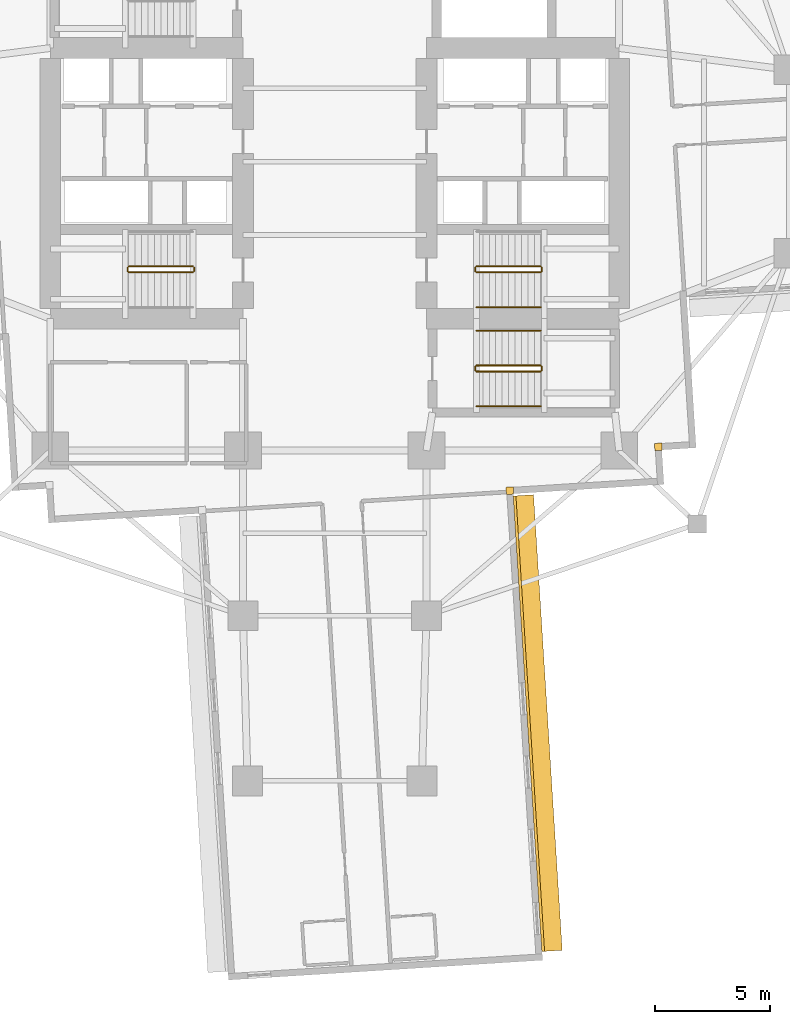
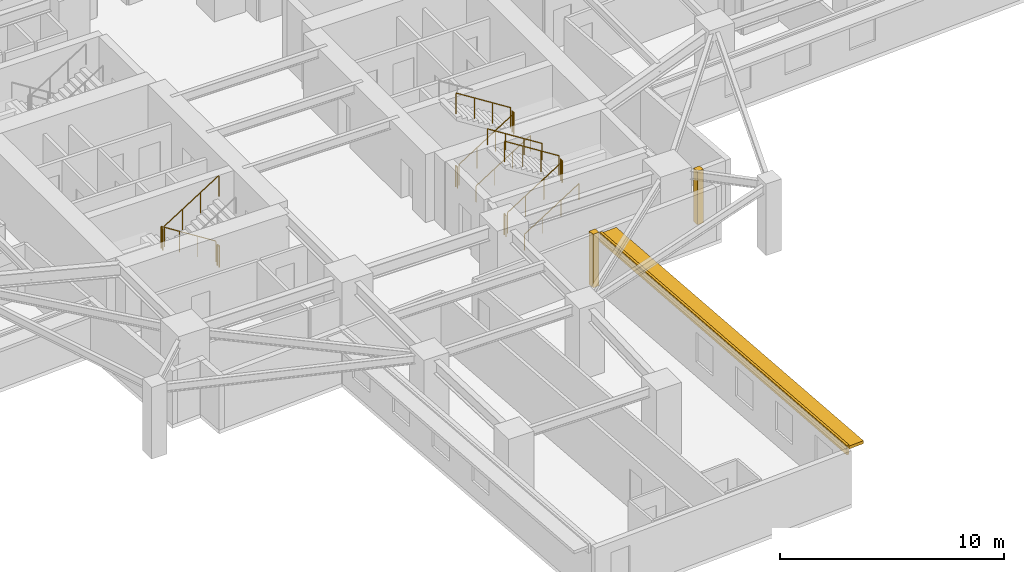
# One storey, part 11 of 14: 15 railings, 3 coverings, 1 shading device.
"""IFC4 building model written with IfcOpenShell, lengths in metres."""

from ifc_helpers import new_model, si_unit, direction, frame, origin, origin_2d, place, context, subcontext, project, spatial, rectangle, circle, extrude, material, layer, layer_set, type_object, element, save


model = new_model("IFC4")

# Units and contexts
model_context = context("Model", 3, precision=1e-05, world=origin(), true_north=direction((0.0, 1.0)))
body_context = subcontext(model_context, "Body", "Model", "MODEL_VIEW")
ifc_project = project(units=[si_unit("LENGTHUNIT", "METRE"), si_unit("AREAUNIT", "SQUARE_METRE"), si_unit("VOLUMEUNIT", "CUBIC_METRE"), si_unit("PLANEANGLEUNIT", "RADIAN"), si_unit("MASSUNIT", "GRAM", prefix="KILO")], contexts=[model_context])

# Site, building, storey
site_placement = place(None, origin())
site = spatial("IfcSite", under=ifc_project, at=site_placement, CompositionType="ELEMENT")
building_placement = place(site_placement, origin())
building = spatial("IfcBuilding", under=site, at=building_placement, Name="Qingluan Cross Belvedere", CompositionType="ELEMENT")
storey_placement = place(building_placement, frame((0.0, 0.0, 39.300048828125)))
storey = spatial("IfcBuildingStorey", under=building, at=storey_placement, Name="L10", CompositionType="ELEMENT", Elevation=39.300048828125)

# Coverings
ifc_material_1 = material(Name="Precast concrete C45", Category="concrete")
ifc_layer_1 = layer(ifc_material_1, 0.1201171875, Name="ConcreteSpandrelCladding_120")
ifc_layer_set_1 = layer_set([ifc_layer_1], Name="Precast concrete C45")
covering_type = type_object("IfcCoveringType", Name="ConcreteSpandrelCladding_120", PredefinedType="CLADDING", material=ifc_layer_set_1)
covering_placement = place(storey_placement, frame((8.465576171875, -24.5068359375, 2.449951171875), z_axis=(0.0, 0.0, 1.0), x_axis=(-0.062791158819, 0.998026688207, 0.0)))
element("IfcCovering", 1, at=covering_placement, inside=storey, type_object=covering_type, Name="Spandrel cladding L10-SB", PredefinedType="CLADDING", context=body_context, shape_type="SweptSolid", body=[
    extrude(rectangle(XDim=19.89990234375, YDim=0.1201171875, at=origin_2d()), origin(), (0.0, 0.0, 1.0), 0.52001953125),
])
for number, where, z_axis, x_axis, name in (
    (2, (14.10888671875, -12.438720703125, 0.0), (0.0, 0.0, 1.0), (0.998026728428, 0.062790519529, 0.0), "Corner closure L10-SE1"),
    (3, (7.635986328125, -14.348876953125, 0.0), (0.0, 0.0, 1.0), (0.998026728428, 0.062790519529, 0.0), "Corner closure L10-SE2"),
):
    element("IfcCovering", number, at=place(storey_placement, frame(where, z_axis=z_axis, x_axis=x_axis)), inside=storey, type_object=covering_type, Name=name, PredefinedType="CLADDING", context=body_context, shape_type="SweptSolid", body=[
        extrude(rectangle(XDim=0.320068359375, YDim=0.320068359375, at=origin_2d()), origin(), (0.0, 0.0, 1.0), 2.909912109375),
    ])

# Shading device
ifc_material_2 = material(Name="Precast concrete C45", Category="concrete")
ifc_layer_2 = layer(ifc_material_2, 0.159912109375, Name="ConcreteSunshadeBand_900")
ifc_layer_set_2 = layer_set([ifc_layer_2], Name="Precast concrete C45")
shading_device_type = type_object("IfcShadingDeviceType", Name="ConcreteSunshadeBand_900", PredefinedType="USERDEFINED", material=ifc_layer_set_2)
shading_device_placement = place(storey_placement, frame((8.8447265625, -24.48291015625, 2.72998046875), z_axis=(0.0, 0.0, 1.0), x_axis=(-0.062791158819, 0.998026688207, 0.0)))
element("IfcShadingDevice", 4, at=shading_device_placement, inside=storey, type_object=shading_device_type, Name="Concrete SUNSHADE L10-SB", ObjectType="SUNSHADE", PredefinedType="USERDEFINED", context=body_context, shape_type="SweptSolid", body=[
    extrude(rectangle(XDim=19.89990234375, YDim=0.89990234375, at=origin_2d()), origin(), (0.0, 0.0, 1.0), 0.159912109375),
])

# Railings
ifc_material_3 = material(Name="Brushed stainless steel tubular handrail", Category="steel")
railing_type_1 = type_object("IfcRailingType", Name="StairPitchHandrail_900", PredefinedType="HANDRAIL", material=ifc_material_3)
for number, where, name in (
    (5, (6.179931640625, -6.35009765625, 0.17724609375), "L10 ST2 stair handrail 1"),
    (6, (6.179931640625, -10.669921875, 0.17724609375), "L10 ST4 stair handrail 1"),
):
    element("IfcRailing", number, at=place(storey_placement, frame(where)), inside=storey, type_object=railing_type_1, Name=name, PredefinedType="HANDRAIL", context=body_context, shape_type="SweptSolid", body=[
        extrude(circle(Radius=0.02392578125, at=origin_2d()), frame((0.0, 0.0, 0.8759765625), z_axis=(0.844908973607, 0.0, 0.534910110503), x_axis=(0.0, 1.0, 0.0)), (0.0, 0.0, 1.0), 3.31396484375),
        extrude(circle(Radius=0.02099609375, at=origin_2d()), origin(), (0.0, 0.0, 1.0), 0.851806640625),
        extrude(circle(Radius=0.02099609375, at=origin_2d()), frame((0.933349609375, 0.0, 0.5908203125)), (0.0, 0.0, 1.0), 0.851806640625),
        extrude(circle(Radius=0.02099609375, at=origin_2d()), frame((1.86669921875, 0.0, 1.181884765625)), (0.0, 0.0, 1.0), 0.851806640625),
        extrude(circle(Radius=0.02099609375, at=origin_2d()), frame((2.800048828125, 0.0, 1.772705078125)), (0.0, 0.0, 1.0), 0.851806640625),
    ])
railing_1_placement = place(storey_placement, frame((8.97998046875, -7.3701171875, 2.127197265625)))
element("IfcRailing", 7, at=railing_1_placement, inside=storey, type_object=railing_type_1, Name="L10 ST4 stair handrail 2", PredefinedType="HANDRAIL", context=body_context, shape_type="SweptSolid", body=[
    extrude(circle(Radius=0.02392578125, at=origin_2d()), frame((0.0, 0.0, 0.8759765625), z_axis=(-0.844908973607, 0.0, 0.534910110503), x_axis=(0.0, -1.0, 0.0)), (0.0, 0.0, 1.0), 3.31396484375),
    extrude(circle(Radius=0.02099609375, at=origin_2d()), origin(), (0.0, 0.0, 1.0), 0.851806640625),
    extrude(circle(Radius=0.02099609375, at=origin_2d()), frame((-0.933349609375, 0.0, 0.5908203125)), (0.0, 0.0, 1.0), 0.851806640625),
    extrude(circle(Radius=0.02099609375, at=origin_2d()), frame((-1.86669921875, 0.0, 1.181884765625)), (0.0, 0.0, 1.0), 0.851806640625),
    extrude(circle(Radius=0.02099609375, at=origin_2d()), frame((-2.800048828125, 0.0, 1.772705078125)), (0.0, 0.0, 1.0), 0.851806640625),
])
ifc_material_4 = material(Name="Painted steel stair well guard", Category="steel")
railing_type_2 = type_object("IfcRailingType", Name="StairWellGuard_1150", PredefinedType="BALUSTRADE", material=ifc_material_4)
railing_2_placement = place(storey_placement, frame((-6.179931640625, -4.570068359375, 0.17724609375)))
element("IfcRailing", 8, at=railing_2_placement, inside=storey, type_object=railing_type_2, Name="L10 ST1 stair guard 1", PredefinedType="BALUSTRADE", context=body_context, shape_type="SweptSolid", body=[
    extrude(circle(Radius=0.02392578125, at=origin_2d()), frame((0.0, 0.0, 1.1259765625), z_axis=(-0.844908973607, 0.0, 0.534910110503), x_axis=(0.0, -1.0, 0.0)), (0.0, 0.0, 1.0), 3.31396484375),
    extrude(circle(Radius=0.02099609375, at=origin_2d()), origin(), (0.0, 0.0, 1.0), 1.101806640625),
    extrude(circle(Radius=0.02099609375, at=origin_2d()), frame((-0.933349609375, 0.0, 0.5908203125)), (0.0, 0.0, 1.0), 1.101806640625),
    extrude(circle(Radius=0.02099609375, at=origin_2d()), frame((-1.86669921875, 0.0, 1.181884765625)), (0.0, 0.0, 1.0), 1.101806640625),
    extrude(circle(Radius=0.02099609375, at=origin_2d()), frame((-2.800048828125, 0.0, 1.772705078125)), (0.0, 0.0, 1.0), 1.101806640625),
])
railing_3_placement = place(storey_placement, frame((-9.030029296875, -4.6201171875, 1.949951171875)))
element("IfcRailing", 9, at=railing_3_placement, inside=storey, type_object=railing_type_2, Name="L10 ST1 stair guard 2", PredefinedType="BALUSTRADE", context=body_context, shape_type="SweptSolid", body=[
    extrude(circle(Radius=0.02392578125, at=origin_2d()), frame((0.0, 0.0, 1.1259765625), z_axis=(0.0, -1.0, 0.0), x_axis=(1.0, 0.0, 0.0)), (0.0, 0.0, 1.0), 0.159912109375),
    extrude(circle(Radius=0.02099609375, at=origin_2d()), origin(), (0.0, 0.0, 1.0), 1.101806640625),
    extrude(circle(Radius=0.02099609375, at=origin_2d()), frame((0.0, -0.159912109375, 0.0)), (0.0, 0.0, 1.0), 1.101806640625),
])
railing_4_placement = place(storey_placement, frame((-8.97998046875, -4.830078125, 2.127197265625)))
element("IfcRailing", 10, at=railing_4_placement, inside=storey, type_object=railing_type_2, Name="L10 ST1 stair guard 3", PredefinedType="BALUSTRADE", context=body_context, shape_type="SweptSolid", body=[
    extrude(circle(Radius=0.02392578125, at=origin_2d()), frame((0.0, 0.0, 1.1259765625), z_axis=(0.844908973607, 0.0, 0.534910110503), x_axis=(0.0, 1.0, 0.0)), (0.0, 0.0, 1.0), 3.31396484375),
    extrude(circle(Radius=0.02099609375, at=origin_2d()), origin(), (0.0, 0.0, 1.0), 1.101806640625),
    extrude(circle(Radius=0.02099609375, at=origin_2d()), frame((0.933349609375, 0.0, 0.5908203125)), (0.0, 0.0, 1.0), 1.101806640625),
    extrude(circle(Radius=0.02099609375, at=origin_2d()), frame((1.86669921875, 0.0, 1.181884765625)), (0.0, 0.0, 1.0), 1.101806640625),
    extrude(circle(Radius=0.02099609375, at=origin_2d()), frame((2.800048828125, 0.0, 1.772705078125)), (0.0, 0.0, 1.0), 1.101806640625),
])
railing_5_placement = place(storey_placement, frame((-6.1298828125, -4.6201171875, 0.0)))
element("IfcRailing", 11, at=railing_5_placement, inside=storey, type_object=railing_type_2, Name="L10 ST1 stair guard 4", PredefinedType="BALUSTRADE", context=body_context, shape_type="SweptSolid", body=[
    extrude(circle(Radius=0.02392578125, at=origin_2d()), frame((0.0, 0.0, 1.1259765625), z_axis=(0.0, -1.0, 0.0), x_axis=(1.0, 0.0, 0.0)), (0.0, 0.0, 1.0), 0.159912109375),
    extrude(circle(Radius=0.02099609375, at=origin_2d()), origin(), (0.0, 0.0, 1.0), 1.101806640625),
    extrude(circle(Radius=0.02099609375, at=origin_2d()), frame((0.0, -0.159912109375, 0.0)), (0.0, 0.0, 1.0), 1.101806640625),
])
railing_6_placement = place(storey_placement, frame((6.179931640625, -4.830078125, 0.17724609375)))
element("IfcRailing", 12, at=railing_6_placement, inside=storey, type_object=railing_type_2, Name="L10 ST2 stair guard 1", PredefinedType="BALUSTRADE", context=body_context, shape_type="SweptSolid", body=[
    extrude(circle(Radius=0.02392578125, at=origin_2d()), frame((0.0, 0.0, 1.1259765625), z_axis=(0.844908973607, 0.0, 0.534910110503), x_axis=(0.0, 1.0, 0.0)), (0.0, 0.0, 1.0), 3.31396484375),
    extrude(circle(Radius=0.02099609375, at=origin_2d()), origin(), (0.0, 0.0, 1.0), 1.101806640625),
    extrude(circle(Radius=0.02099609375, at=origin_2d()), frame((0.933349609375, 0.0, 0.5908203125)), (0.0, 0.0, 1.0), 1.101806640625),
    extrude(circle(Radius=0.02099609375, at=origin_2d()), frame((1.86669921875, 0.0, 1.181884765625)), (0.0, 0.0, 1.0), 1.101806640625),
    extrude(circle(Radius=0.02099609375, at=origin_2d()), frame((2.800048828125, 0.0, 1.772705078125)), (0.0, 0.0, 1.0), 1.101806640625),
])
railing_7_placement = place(storey_placement, frame((9.030029296875, -4.780029296875, 1.949951171875)))
element("IfcRailing", 13, at=railing_7_placement, inside=storey, type_object=railing_type_2, Name="L10 ST2 stair guard 2", PredefinedType="BALUSTRADE", context=body_context, shape_type="SweptSolid", body=[
    extrude(circle(Radius=0.02392578125, at=origin_2d()), frame((0.0, 0.0, 1.1259765625), z_axis=(0.0, 1.0, 0.0), x_axis=(-1.0, 0.0, 0.0)), (0.0, 0.0, 1.0), 0.159912109375),
    extrude(circle(Radius=0.02099609375, at=origin_2d()), origin(), (0.0, 0.0, 1.0), 1.101806640625),
    extrude(circle(Radius=0.02099609375, at=origin_2d()), frame((0.0, 0.159912109375, 0.0)), (0.0, 0.0, 1.0), 1.101806640625),
])
railing_8_placement = place(storey_placement, frame((8.97998046875, -4.570068359375, 2.127197265625)))
element("IfcRailing", 14, at=railing_8_placement, inside=storey, type_object=railing_type_2, Name="L10 ST2 stair guard 3", PredefinedType="BALUSTRADE", context=body_context, shape_type="SweptSolid", body=[
    extrude(circle(Radius=0.02392578125, at=origin_2d()), frame((0.0, 0.0, 1.1259765625), z_axis=(-0.844908973607, 0.0, 0.534910110503), x_axis=(0.0, -1.0, 0.0)), (0.0, 0.0, 1.0), 3.31396484375),
    extrude(circle(Radius=0.02099609375, at=origin_2d()), origin(), (0.0, 0.0, 1.0), 1.101806640625),
    extrude(circle(Radius=0.02099609375, at=origin_2d()), frame((-0.933349609375, 0.0, 0.5908203125)), (0.0, 0.0, 1.0), 1.101806640625),
    extrude(circle(Radius=0.02099609375, at=origin_2d()), frame((-1.86669921875, 0.0, 1.181884765625)), (0.0, 0.0, 1.0), 1.101806640625),
    extrude(circle(Radius=0.02099609375, at=origin_2d()), frame((-2.800048828125, 0.0, 1.772705078125)), (0.0, 0.0, 1.0), 1.101806640625),
])
railing_9_placement = place(storey_placement, frame((6.1298828125, -4.780029296875, 0.0)))
element("IfcRailing", 15, at=railing_9_placement, inside=storey, type_object=railing_type_2, Name="L10 ST2 stair guard 4", PredefinedType="BALUSTRADE", context=body_context, shape_type="SweptSolid", body=[
    extrude(circle(Radius=0.02392578125, at=origin_2d()), frame((0.0, 0.0, 1.1259765625), z_axis=(0.0, 1.0, 0.0), x_axis=(-1.0, 0.0, 0.0)), (0.0, 0.0, 1.0), 0.159912109375),
    extrude(circle(Radius=0.02099609375, at=origin_2d()), origin(), (0.0, 0.0, 1.0), 1.101806640625),
    extrude(circle(Radius=0.02099609375, at=origin_2d()), frame((0.0, 0.159912109375, 0.0)), (0.0, 0.0, 1.0), 1.101806640625),
])
railing_10_placement = place(storey_placement, frame((6.179931640625, -9.14990234375, 0.17724609375)))
element("IfcRailing", 16, at=railing_10_placement, inside=storey, type_object=railing_type_2, Name="L10 ST4 stair guard 1", PredefinedType="BALUSTRADE", context=body_context, shape_type="SweptSolid", body=[
    extrude(circle(Radius=0.02392578125, at=origin_2d()), frame((0.0, 0.0, 1.1259765625), z_axis=(0.844908973607, 0.0, 0.534910110503), x_axis=(0.0, 1.0, 0.0)), (0.0, 0.0, 1.0), 3.31396484375),
    extrude(circle(Radius=0.02099609375, at=origin_2d()), origin(), (0.0, 0.0, 1.0), 1.101806640625),
    extrude(circle(Radius=0.02099609375, at=origin_2d()), frame((0.933349609375, 0.0, 0.5908203125)), (0.0, 0.0, 1.0), 1.101806640625),
    extrude(circle(Radius=0.02099609375, at=origin_2d()), frame((1.86669921875, 0.0, 1.181884765625)), (0.0, 0.0, 1.0), 1.101806640625),
    extrude(circle(Radius=0.02099609375, at=origin_2d()), frame((2.800048828125, 0.0, 1.772705078125)), (0.0, 0.0, 1.0), 1.101806640625),
])
railing_11_placement = place(storey_placement, frame((9.030029296875, -9.10009765625, 1.949951171875)))
element("IfcRailing", 17, at=railing_11_placement, inside=storey, type_object=railing_type_2, Name="L10 ST4 stair guard 2", PredefinedType="BALUSTRADE", context=body_context, shape_type="SweptSolid", body=[
    extrude(circle(Radius=0.02392578125, at=origin_2d()), frame((0.0, 0.0, 1.1259765625), z_axis=(0.0, 1.0, 0.0), x_axis=(-1.0, 0.0, 0.0)), (0.0, 0.0, 1.0), 0.16015625),
    extrude(circle(Radius=0.02099609375, at=origin_2d()), origin(), (0.0, 0.0, 1.0), 1.101806640625),
    extrude(circle(Radius=0.02099609375, at=origin_2d()), frame((0.0, 0.16015625, 0.0)), (0.0, 0.0, 1.0), 1.101806640625),
])
railing_12_placement = place(storey_placement, frame((8.97998046875, -8.889892578125, 2.127197265625)))
element("IfcRailing", 18, at=railing_12_placement, inside=storey, type_object=railing_type_2, Name="L10 ST4 stair guard 3", PredefinedType="BALUSTRADE", context=body_context, shape_type="SweptSolid", body=[
    extrude(circle(Radius=0.02392578125, at=origin_2d()), frame((0.0, 0.0, 1.1259765625), z_axis=(-0.844908973607, 0.0, 0.534910110503), x_axis=(0.0, -1.0, 0.0)), (0.0, 0.0, 1.0), 3.31396484375),
    extrude(circle(Radius=0.02099609375, at=origin_2d()), origin(), (0.0, 0.0, 1.0), 1.101806640625),
    extrude(circle(Radius=0.02099609375, at=origin_2d()), frame((-0.933349609375, 0.0, 0.5908203125)), (0.0, 0.0, 1.0), 1.101806640625),
    extrude(circle(Radius=0.02099609375, at=origin_2d()), frame((-1.86669921875, 0.0, 1.181884765625)), (0.0, 0.0, 1.0), 1.101806640625),
    extrude(circle(Radius=0.02099609375, at=origin_2d()), frame((-2.800048828125, 0.0, 1.772705078125)), (0.0, 0.0, 1.0), 1.101806640625),
])
railing_13_placement = place(storey_placement, frame((6.1298828125, -9.10009765625, 0.0)))
element("IfcRailing", 19, at=railing_13_placement, inside=storey, type_object=railing_type_2, Name="L10 ST4 stair guard 4", PredefinedType="BALUSTRADE", context=body_context, shape_type="SweptSolid", body=[
    extrude(circle(Radius=0.02392578125, at=origin_2d()), frame((0.0, 0.0, 1.1259765625), z_axis=(0.0, 1.0, 0.0), x_axis=(-1.0, 0.0, 0.0)), (0.0, 0.0, 1.0), 0.16015625),
    extrude(circle(Radius=0.02099609375, at=origin_2d()), origin(), (0.0, 0.0, 1.0), 1.101806640625),
    extrude(circle(Radius=0.02099609375, at=origin_2d()), frame((0.0, 0.16015625, 0.0)), (0.0, 0.0, 1.0), 1.101806640625),
])

save(model, "model.ifc")
